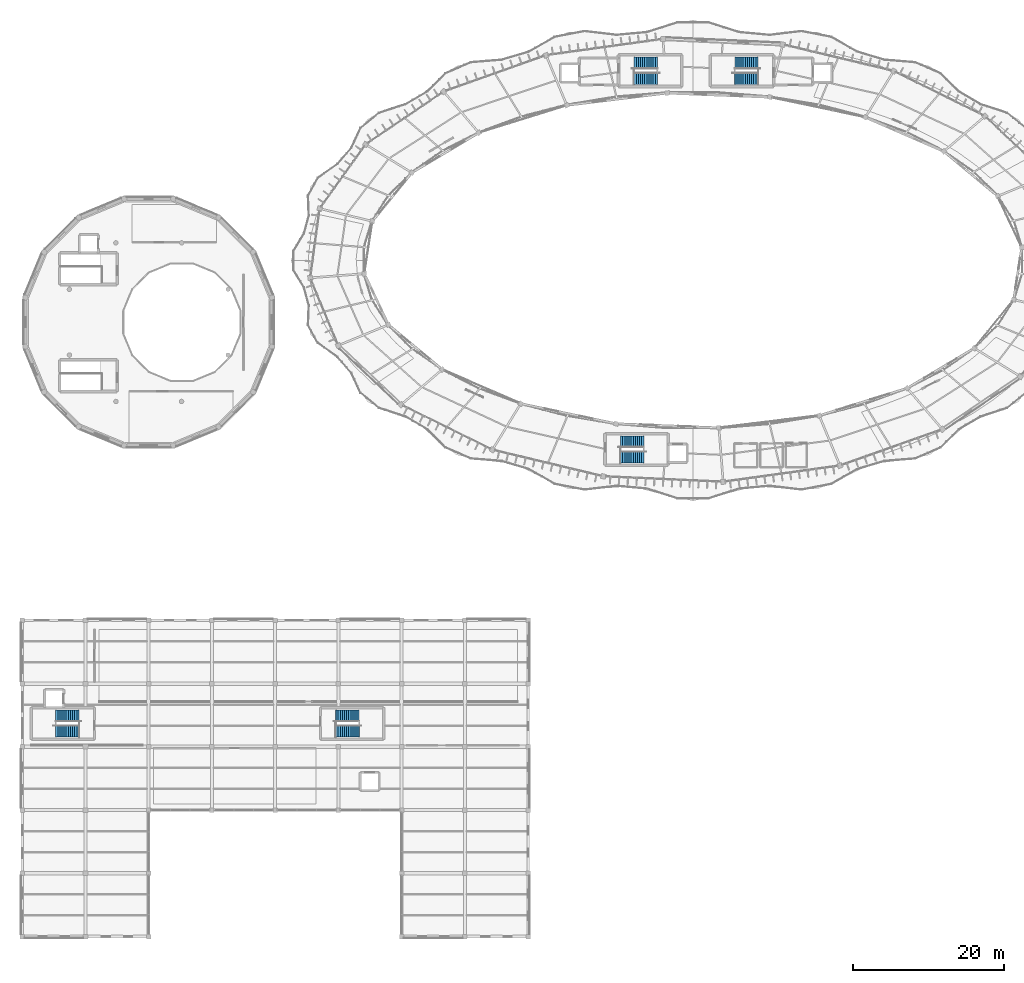
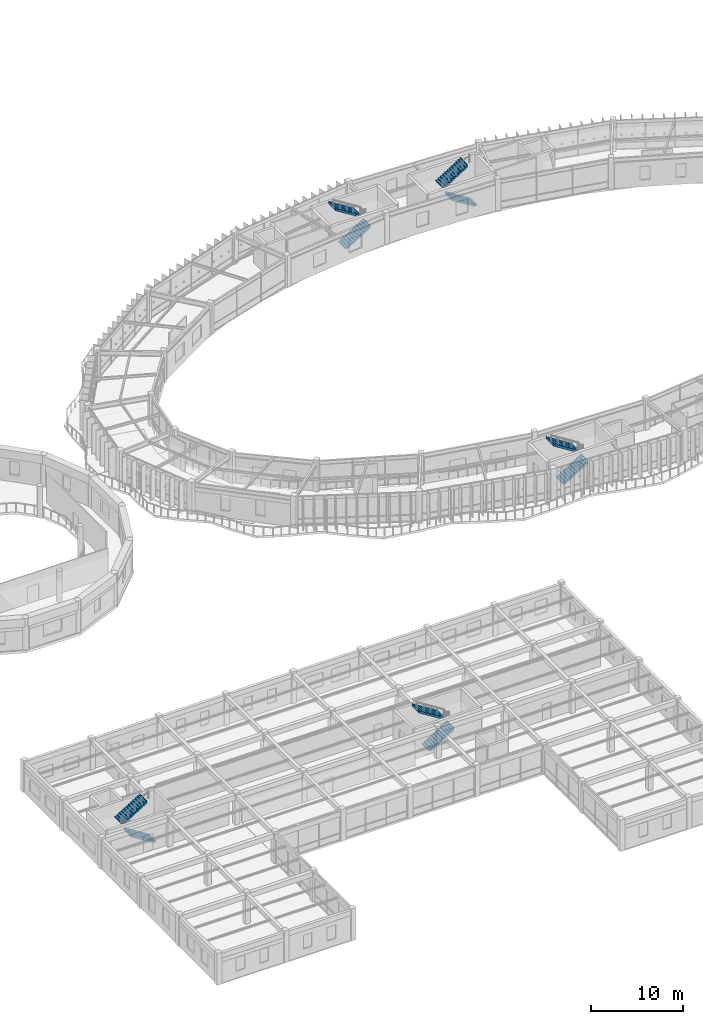
# One storey, part 98 of 114: 10 stair flights, 5 elements without a shape of their own.
"""IFC4 building model written with IfcOpenShell, lengths in metres."""

from ifc_helpers import new_model, si_unit, direction, frame, origin, place, context, subcontext, project, spatial, polyline, outline, extrude, material, type_object, element, aggregate, save


model = new_model("IFC4")

# Units and contexts
model_context = context("Model", 3, precision=1e-05, world=origin(), true_north=direction((0.0, 1.0)))
body_context = subcontext(model_context, "Body", "Model", "MODEL_VIEW")
ifc_project = project(units=[si_unit("LENGTHUNIT", "METRE"), si_unit("AREAUNIT", "SQUARE_METRE"), si_unit("VOLUMEUNIT", "CUBIC_METRE"), si_unit("PLANEANGLEUNIT", "RADIAN"), si_unit("MASSUNIT", "GRAM", prefix="KILO"), si_unit("THERMODYNAMICTEMPERATUREUNIT", "KELVIN"), si_unit("POWERUNIT", "WATT")], contexts=[model_context])

# Site, building, storey
site_placement = place(None, origin())
site = spatial("IfcSite", under=ifc_project, at=site_placement, CompositionType="ELEMENT")
building_placement = place(site_placement, origin())
building = spatial("IfcBuilding", under=site, at=building_placement, Name="Darbajah Civic Hall", CompositionType="ELEMENT")
storey_placement = place(building_placement, frame((0.0, 0.0, 13.800048828125)))
storey = spatial("IfcBuildingStorey", under=building, at=storey_placement, Name="L03", CompositionType="ELEMENT", Elevation=13.800048828125)

# Stair, stair flights
ifc_material_1 = material(Name="Concrete C45/55", Category="concrete")
stair_type = type_object("IfcStairType", Name="Half Turn Stair 1650x4200", PredefinedType="HALF_TURN_STAIR", material=ifc_material_1)
stair_1_placement = place(storey_placement, origin())
stair_1 = element("IfcStair", 1, at=stair_1_placement, inside=storey, type_object=stair_type, Name="L03 enclosed exit stair ST01", PredefinedType="HALF_TURN_STAIR")
ifc_material_2 = material(Name="Precast Concrete C45/55", Category="concrete")
stair_flight_type = type_object("IfcStairFlightType", Name="Stair Flight 12R 280G", PredefinedType="STRAIGHT", material=ifc_material_2)
stair_flight_1_placement = place(storey_placement, frame((81.280029296875, 113.965087890625, 0.0), z_axis=(0.0, 0.0, 1.0), x_axis=(1.0, 0.0, 0.0)))
stair_flight_1 = element("IfcStairFlight", 2, at=stair_flight_1_placement, type_object=stair_flight_type, Name="ST01 L03 lower flight", NumberOfRisers=12, NumberOfTreads=11, PredefinedType="STRAIGHT", RiserHeight=0.175, TreadLength=0.28, context=body_context, shape_type="SweptSolid", body=[
    extrude(outline(polyline([(0.0, 0.0), (0.0, 0.175048828125), (0.280029296875, 0.175048828125), (0.280029296875, 0.35009765625), (0.56005859375, 0.35009765625), (0.56005859375, 0.52490234375), (0.840087890625, 0.52490234375), (0.840087890625, 0.699951171875), (1.1201171875, 0.699951171875), (1.1201171875, 0.875), (1.39990234375, 0.875), (1.39990234375, 1.050048828125), (1.679931640625, 1.050048828125), (1.679931640625, 1.22509765625), (1.9599609375, 1.22509765625), (1.9599609375, 1.39990234375), (2.239990234375, 1.39990234375), (2.239990234375, 1.574951171875), (2.52001953125, 1.574951171875), (2.52001953125, 1.75), (2.800048828125, 1.75), (2.800048828125, 1.925048828125), (3.080078125, 1.925048828125), (3.080078125, 2.10009765625), (3.1201171875, 2.10009765625), (3.1201171875, 1.712890625), (0.37939453125, 0.0), (0.0, 0.0)])), frame((0.0, 0.77490234375, 0.0), z_axis=(0.0, -1.0, 0.0), x_axis=(1.0, 0.0, 0.0)), (0.0, 0.0, 1.0), 1.550048828125),
])
stair_flight_2_placement = place(storey_placement, frame((84.360107421875, 116.034912109375, 2.099853515625), z_axis=(0.0, 0.0, 1.0), x_axis=(-1.0, 0.0, 0.0)))
stair_flight_2 = element("IfcStairFlight", 3, at=stair_flight_2_placement, type_object=stair_flight_type, Name="ST01 L03 upper flight", NumberOfRisers=12, NumberOfTreads=11, PredefinedType="STRAIGHT", RiserHeight=0.175, TreadLength=0.28, context=body_context, shape_type="SweptSolid", body=[
    extrude(outline(polyline([(0.0, 0.0), (0.0, 0.175048828125), (0.280029296875, 0.175048828125), (0.280029296875, 0.35009765625), (0.56005859375, 0.35009765625), (0.56005859375, 0.52490234375), (0.840087890625, 0.52490234375), (0.840087890625, 0.699951171875), (1.1201171875, 0.699951171875), (1.1201171875, 0.875), (1.39990234375, 0.875), (1.39990234375, 1.050048828125), (1.679931640625, 1.050048828125), (1.679931640625, 1.22509765625), (1.9599609375, 1.22509765625), (1.9599609375, 1.39990234375), (2.239990234375, 1.39990234375), (2.239990234375, 1.574951171875), (2.52001953125, 1.574951171875), (2.52001953125, 1.75), (2.800048828125, 1.75), (2.800048828125, 1.925048828125), (3.080078125, 1.925048828125), (3.080078125, 2.10009765625), (3.1201171875, 2.10009765625), (3.1201171875, 1.712890625), (0.37939453125, 0.0), (0.0, 0.0)])), frame((0.0, 0.77490234375, 0.0), z_axis=(0.0, -1.0, 0.0), x_axis=(1.0, 0.0, 0.0)), (0.0, 0.0, 1.0), 1.550048828125),
])
aggregate(stair_1, [stair_flight_1, stair_flight_2])

stair_2_placement = place(storey_placement, origin())
stair_2 = element("IfcStair", 4, at=stair_2_placement, inside=storey, type_object=stair_type, Name="L03 enclosed exit stair ST02", PredefinedType="HALF_TURN_STAIR")
stair_flight_3_placement = place(storey_placement, frame((97.719970703125, 113.965087890625, 0.0), z_axis=(0.0, 0.0, 1.0), x_axis=(-1.0, 0.0, 0.0)))
stair_flight_3 = element("IfcStairFlight", 5, at=stair_flight_3_placement, type_object=stair_flight_type, Name="ST02 L03 lower flight", NumberOfRisers=12, NumberOfTreads=11, PredefinedType="STRAIGHT", RiserHeight=0.175, TreadLength=0.28, context=body_context, shape_type="SweptSolid", body=[
    extrude(outline(polyline([(0.0, 0.0), (0.0, 0.175048828125), (0.280029296875, 0.175048828125), (0.280029296875, 0.35009765625), (0.56005859375, 0.35009765625), (0.56005859375, 0.52490234375), (0.840087890625, 0.52490234375), (0.840087890625, 0.699951171875), (1.1201171875, 0.699951171875), (1.1201171875, 0.875), (1.39990234375, 0.875), (1.39990234375, 1.050048828125), (1.679931640625, 1.050048828125), (1.679931640625, 1.22509765625), (1.9599609375, 1.22509765625), (1.9599609375, 1.39990234375), (2.239990234375, 1.39990234375), (2.239990234375, 1.574951171875), (2.52001953125, 1.574951171875), (2.52001953125, 1.75), (2.800048828125, 1.75), (2.800048828125, 1.925048828125), (3.080078125, 1.925048828125), (3.080078125, 2.10009765625), (3.1201171875, 2.10009765625), (3.1201171875, 1.712890625), (0.37939453125, 0.0), (0.0, 0.0)])), frame((0.0, 0.77490234375, 0.0), z_axis=(0.0, -1.0, 0.0), x_axis=(1.0, 0.0, 0.0)), (0.0, 0.0, 1.0), 1.550048828125),
])
stair_flight_4_placement = place(storey_placement, frame((94.639892578125, 116.034912109375, 2.099853515625), z_axis=(0.0, 0.0, 1.0), x_axis=(1.0, 0.0, 0.0)))
stair_flight_4 = element("IfcStairFlight", 6, at=stair_flight_4_placement, type_object=stair_flight_type, Name="ST02 L03 upper flight", NumberOfRisers=12, NumberOfTreads=11, PredefinedType="STRAIGHT", RiserHeight=0.175, TreadLength=0.28, context=body_context, shape_type="SweptSolid", body=[
    extrude(outline(polyline([(0.0, 0.0), (0.0, 0.175048828125), (0.280029296875, 0.175048828125), (0.280029296875, 0.35009765625), (0.56005859375, 0.35009765625), (0.56005859375, 0.52490234375), (0.840087890625, 0.52490234375), (0.840087890625, 0.699951171875), (1.1201171875, 0.699951171875), (1.1201171875, 0.875), (1.39990234375, 0.875), (1.39990234375, 1.050048828125), (1.679931640625, 1.050048828125), (1.679931640625, 1.22509765625), (1.9599609375, 1.22509765625), (1.9599609375, 1.39990234375), (2.239990234375, 1.39990234375), (2.239990234375, 1.574951171875), (2.52001953125, 1.574951171875), (2.52001953125, 1.75), (2.800048828125, 1.75), (2.800048828125, 1.925048828125), (3.080078125, 1.925048828125), (3.080078125, 2.10009765625), (3.1201171875, 2.10009765625), (3.1201171875, 1.712890625), (0.37939453125, 0.0), (0.0, 0.0)])), frame((0.0, 0.77490234375, 0.0), z_axis=(0.0, -1.0, 0.0), x_axis=(1.0, 0.0, 0.0)), (0.0, 0.0, 1.0), 1.550048828125),
])
aggregate(stair_2, [stair_flight_3, stair_flight_4])

stair_3_placement = place(storey_placement, origin())
stair_3 = element("IfcStair", 7, at=stair_3_placement, inside=storey, type_object=stair_type, Name="L03 enclosed exit stair ST03", PredefinedType="HALF_TURN_STAIR")
stair_flight_5_placement = place(storey_placement, frame((79.47998046875, 63.6650390625, 0.0), z_axis=(0.0, 0.0, 1.0), x_axis=(1.0, 0.0, 0.0)))
stair_flight_5 = element("IfcStairFlight", 8, at=stair_flight_5_placement, type_object=stair_flight_type, Name="ST03 L03 lower flight", NumberOfRisers=12, NumberOfTreads=11, PredefinedType="STRAIGHT", RiserHeight=0.175, TreadLength=0.28, context=body_context, shape_type="SweptSolid", body=[
    extrude(outline(polyline([(0.0, 0.0), (0.0, 0.175048828125), (0.280029296875, 0.175048828125), (0.280029296875, 0.35009765625), (0.56005859375, 0.35009765625), (0.56005859375, 0.52490234375), (0.840087890625, 0.52490234375), (0.840087890625, 0.699951171875), (1.1201171875, 0.699951171875), (1.1201171875, 0.875), (1.39990234375, 0.875), (1.39990234375, 1.050048828125), (1.679931640625, 1.050048828125), (1.679931640625, 1.22509765625), (1.9599609375, 1.22509765625), (1.9599609375, 1.39990234375), (2.239990234375, 1.39990234375), (2.239990234375, 1.574951171875), (2.52001953125, 1.574951171875), (2.52001953125, 1.75), (2.800048828125, 1.75), (2.800048828125, 1.925048828125), (3.080078125, 1.925048828125), (3.080078125, 2.10009765625), (3.1201171875, 2.10009765625), (3.1201171875, 1.712890625), (0.37939453125, 0.0), (0.0, 0.0)])), frame((0.0, 0.77490234375, 0.0), z_axis=(0.0, -1.0, 0.0), x_axis=(1.0, 0.0, 0.0)), (0.0, 0.0, 1.0), 1.550048828125),
])
stair_flight_6_placement = place(storey_placement, frame((82.56005859375, 65.735107421875, 2.099853515625), z_axis=(0.0, 0.0, 1.0), x_axis=(-1.0, 0.0, 0.0)))
stair_flight_6 = element("IfcStairFlight", 9, at=stair_flight_6_placement, type_object=stair_flight_type, Name="ST03 L03 upper flight", NumberOfRisers=12, NumberOfTreads=11, PredefinedType="STRAIGHT", RiserHeight=0.175, TreadLength=0.28, context=body_context, shape_type="SweptSolid", body=[
    extrude(outline(polyline([(0.0, 0.0), (0.0, 0.175048828125), (0.280029296875, 0.175048828125), (0.280029296875, 0.35009765625), (0.56005859375, 0.35009765625), (0.56005859375, 0.52490234375), (0.840087890625, 0.52490234375), (0.840087890625, 0.699951171875), (1.1201171875, 0.699951171875), (1.1201171875, 0.875), (1.39990234375, 0.875), (1.39990234375, 1.050048828125), (1.679931640625, 1.050048828125), (1.679931640625, 1.22509765625), (1.9599609375, 1.22509765625), (1.9599609375, 1.39990234375), (2.239990234375, 1.39990234375), (2.239990234375, 1.574951171875), (2.52001953125, 1.574951171875), (2.52001953125, 1.75), (2.800048828125, 1.75), (2.800048828125, 1.925048828125), (3.080078125, 1.925048828125), (3.080078125, 2.10009765625), (3.1201171875, 2.10009765625), (3.1201171875, 1.712890625), (0.37939453125, 0.0), (0.0, 0.0)])), frame((0.0, 0.77490234375, 0.0), z_axis=(0.0, -1.0, 0.0), x_axis=(1.0, 0.0, 0.0)), (0.0, 0.0, 1.0), 1.550048828125),
])
aggregate(stair_3, [stair_flight_5, stair_flight_6])

stair_4_placement = place(storey_placement, origin())
stair_4 = element("IfcStair", 10, at=stair_4_placement, inside=storey, type_object=stair_type, Name="L03 enclosed exit stair ST10", PredefinedType="HALF_TURN_STAIR")
stair_flight_7_placement = place(storey_placement, frame((7.52001953125, 27.264892578125, 0.0), z_axis=(0.0, 0.0, 1.0), x_axis=(-1.0, 0.0, 0.0)))
stair_flight_7 = element("IfcStairFlight", 11, at=stair_flight_7_placement, type_object=stair_flight_type, Name="ST10 L03 lower flight", NumberOfRisers=12, NumberOfTreads=11, PredefinedType="STRAIGHT", RiserHeight=0.175, TreadLength=0.28, context=body_context, shape_type="SweptSolid", body=[
    extrude(outline(polyline([(0.0, 0.0), (0.0, 0.175048828125), (0.280029296875, 0.175048828125), (0.280029296875, 0.35009765625), (0.56005859375, 0.35009765625), (0.56005859375, 0.52490234375), (0.840087890625, 0.52490234375), (0.840087890625, 0.699951171875), (1.1201171875, 0.699951171875), (1.1201171875, 0.875), (1.39990234375, 0.875), (1.39990234375, 1.050048828125), (1.679931640625, 1.050048828125), (1.679931640625, 1.22509765625), (1.9599609375, 1.22509765625), (1.9599609375, 1.39990234375), (2.239990234375, 1.39990234375), (2.239990234375, 1.574951171875), (2.52001953125, 1.574951171875), (2.52001953125, 1.75), (2.800048828125, 1.75), (2.800048828125, 1.925048828125), (3.080078125, 1.925048828125), (3.080078125, 2.10009765625), (3.1201171875, 2.10009765625), (3.1201171875, 1.712890625), (0.37939453125, 0.0), (0.0, 0.0)])), frame((0.0, 0.77490234375, 0.0), z_axis=(0.0, -1.0, 0.0), x_axis=(1.0, 0.0, 0.0)), (0.0, 0.0, 1.0), 1.550048828125),
])
stair_flight_8_placement = place(storey_placement, frame((4.43994140625, 29.3349609375, 2.099853515625), z_axis=(0.0, 0.0, 1.0), x_axis=(1.0, 0.0, 0.0)))
stair_flight_8 = element("IfcStairFlight", 12, at=stair_flight_8_placement, type_object=stair_flight_type, Name="ST10 L03 upper flight", NumberOfRisers=12, NumberOfTreads=11, PredefinedType="STRAIGHT", RiserHeight=0.175, TreadLength=0.28, context=body_context, shape_type="SweptSolid", body=[
    extrude(outline(polyline([(0.0, 0.0), (0.0, 0.175048828125), (0.280029296875, 0.175048828125), (0.280029296875, 0.35009765625), (0.56005859375, 0.35009765625), (0.56005859375, 0.52490234375), (0.840087890625, 0.52490234375), (0.840087890625, 0.699951171875), (1.1201171875, 0.699951171875), (1.1201171875, 0.875), (1.39990234375, 0.875), (1.39990234375, 1.050048828125), (1.679931640625, 1.050048828125), (1.679931640625, 1.22509765625), (1.9599609375, 1.22509765625), (1.9599609375, 1.39990234375), (2.239990234375, 1.39990234375), (2.239990234375, 1.574951171875), (2.52001953125, 1.574951171875), (2.52001953125, 1.75), (2.800048828125, 1.75), (2.800048828125, 1.925048828125), (3.080078125, 1.925048828125), (3.080078125, 2.10009765625), (3.1201171875, 2.10009765625), (3.1201171875, 1.712890625), (0.37939453125, 0.0), (0.0, 0.0)])), frame((0.0, 0.77490234375, 0.0), z_axis=(0.0, -1.0, 0.0), x_axis=(1.0, 0.0, 0.0)), (0.0, 0.0, 1.0), 1.550048828125),
])
aggregate(stair_4, [stair_flight_7, stair_flight_8])

stair_5_placement = place(storey_placement, origin())
stair_5 = element("IfcStair", 13, at=stair_5_placement, inside=storey, type_object=stair_type, Name="L03 enclosed exit stair ST11", PredefinedType="HALF_TURN_STAIR")
stair_flight_9_placement = place(storey_placement, frame((41.679931640625, 27.264892578125, 0.0), z_axis=(0.0, 0.0, 1.0), x_axis=(1.0, 0.0, 0.0)))
stair_flight_9 = element("IfcStairFlight", 14, at=stair_flight_9_placement, type_object=stair_flight_type, Name="ST11 L03 lower flight", NumberOfRisers=12, NumberOfTreads=11, PredefinedType="STRAIGHT", RiserHeight=0.175, TreadLength=0.28, context=body_context, shape_type="SweptSolid", body=[
    extrude(outline(polyline([(0.0, 0.0), (0.0, 0.175048828125), (0.280029296875, 0.175048828125), (0.280029296875, 0.35009765625), (0.56005859375, 0.35009765625), (0.56005859375, 0.52490234375), (0.840087890625, 0.52490234375), (0.840087890625, 0.699951171875), (1.1201171875, 0.699951171875), (1.1201171875, 0.875), (1.39990234375, 0.875), (1.39990234375, 1.050048828125), (1.679931640625, 1.050048828125), (1.679931640625, 1.22509765625), (1.9599609375, 1.22509765625), (1.9599609375, 1.39990234375), (2.239990234375, 1.39990234375), (2.239990234375, 1.574951171875), (2.52001953125, 1.574951171875), (2.52001953125, 1.75), (2.800048828125, 1.75), (2.800048828125, 1.925048828125), (3.080078125, 1.925048828125), (3.080078125, 2.10009765625), (3.1201171875, 2.10009765625), (3.1201171875, 1.712890625), (0.37939453125, 0.0), (0.0, 0.0)])), frame((0.0, 0.77490234375, 0.0), z_axis=(0.0, -1.0, 0.0), x_axis=(1.0, 0.0, 0.0)), (0.0, 0.0, 1.0), 1.550048828125),
])
stair_flight_10_placement = place(storey_placement, frame((44.760009765625, 29.3349609375, 2.099853515625), z_axis=(0.0, 0.0, 1.0), x_axis=(-1.0, 0.0, 0.0)))
stair_flight_10 = element("IfcStairFlight", 15, at=stair_flight_10_placement, type_object=stair_flight_type, Name="ST11 L03 upper flight", NumberOfRisers=12, NumberOfTreads=11, PredefinedType="STRAIGHT", RiserHeight=0.175, TreadLength=0.28, context=body_context, shape_type="SweptSolid", body=[
    extrude(outline(polyline([(0.0, 0.0), (0.0, 0.175048828125), (0.280029296875, 0.175048828125), (0.280029296875, 0.35009765625), (0.56005859375, 0.35009765625), (0.56005859375, 0.52490234375), (0.840087890625, 0.52490234375), (0.840087890625, 0.699951171875), (1.1201171875, 0.699951171875), (1.1201171875, 0.875), (1.39990234375, 0.875), (1.39990234375, 1.050048828125), (1.679931640625, 1.050048828125), (1.679931640625, 1.22509765625), (1.9599609375, 1.22509765625), (1.9599609375, 1.39990234375), (2.239990234375, 1.39990234375), (2.239990234375, 1.574951171875), (2.52001953125, 1.574951171875), (2.52001953125, 1.75), (2.800048828125, 1.75), (2.800048828125, 1.925048828125), (3.080078125, 1.925048828125), (3.080078125, 2.10009765625), (3.1201171875, 2.10009765625), (3.1201171875, 1.712890625), (0.37939453125, 0.0), (0.0, 0.0)])), frame((0.0, 0.77490234375, 0.0), z_axis=(0.0, -1.0, 0.0), x_axis=(1.0, 0.0, 0.0)), (0.0, 0.0, 1.0), 1.550048828125),
])
aggregate(stair_5, [stair_flight_9, stair_flight_10])

save(model, "model.ifc")
